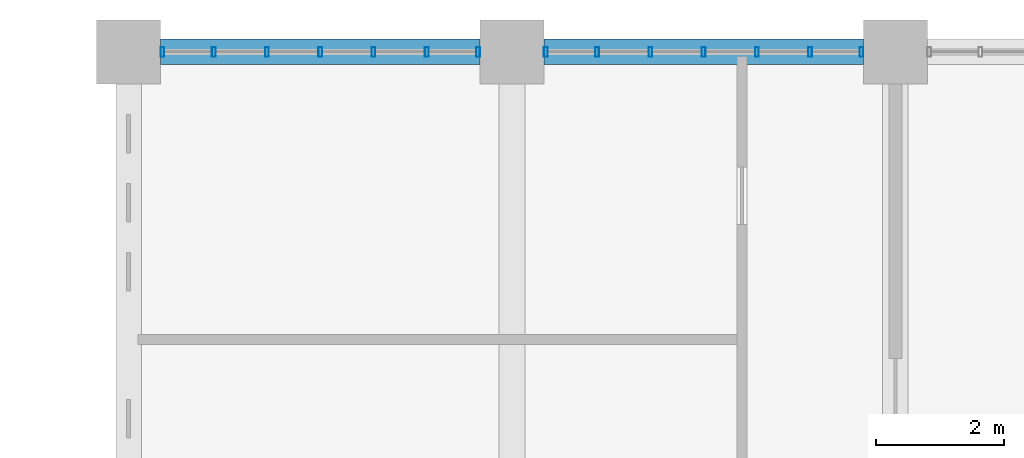
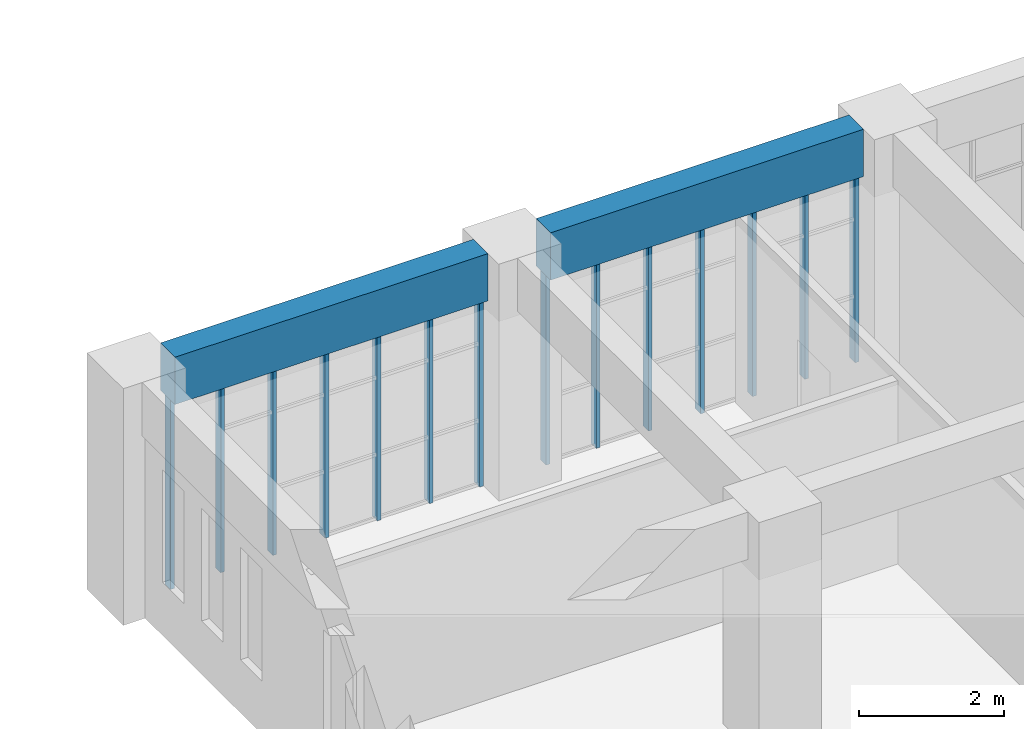
# One storey, part 41 of 92: 14 members, 2 beams, 2 elements without a shape of their own.
"""IFC4 building model written with IfcOpenShell, lengths in metres."""

import ifcopenshell
import ifcopenshell.guid

model = None  # the IFC model being written
_history = None  # IfcOwnerHistory: only IFC2X3 demands one
_inside = {}  # id of a spatial element -> (the spatial element, [elements in it])
_under = {}  # id of a project, library or spatial element -> (it, [spatial elements below it])
_declared = {}  # id of a project -> (the project, [libraries it declares])
_typed = {}  # id of a type object -> (the type object, [elements of that type])
_made_of = {}  # id of a material, layer set ... -> (it, [elements and type objects made of it])


def new_model(schema):
    """Start an empty IFC model of exactly this schema.

    Asked for "IFC4X3", IfcOpenShell would pick the latest addendum, in which some entities
    have other attributes; the version numbers below select the first issue.
    IFC2X3 requires an IfcOwnerHistory on every rooted entity: one is made here for all.
    """
    global model, _history
    if schema == "IFC4X3":
        model = ifcopenshell.file(schema_version=(4, 3, 0, 0))
    else:
        model = ifcopenshell.file(schema=schema)
    _inside.clear()
    _under.clear()
    _declared.clear()
    _typed.clear()
    _made_of.clear()
    _history = None
    if model.schema == "IFC2X3":
        org = make("IfcOrganization", Name="unknown")
        user = make(
            "IfcPersonAndOrganization",
            ThePerson=make("IfcPerson", FamilyName="unknown"),
            TheOrganization=org,
        )
        app = make(
            "IfcApplication",
            ApplicationDeveloper=org,
            Version="unknown",
            ApplicationFullName="unknown",
            ApplicationIdentifier="unknown",
        )
        _history = make(
            "IfcOwnerHistory",
            OwningUser=user,
            OwningApplication=app,
            ChangeAction="ADDED",
            CreationDate=0,
        )
    return model


def make(cls, **values):
    """One entity of the class cls with the attributes given. An attribute that is None is left unset."""
    return model.create_entity(
        cls, **{name: value for name, value in values.items() if value is not None}
    )


def rooted(cls, **values):
    """An entity with a GlobalId (a new one), such as an element, a storey or a relation."""
    return make(cls, GlobalId=ifcopenshell.guid.new(), OwnerHistory=_history, **values)


def si_unit(unit_type, name, prefix=None):
    """IfcSIUnit, for example si_unit("LENGTHUNIT", "METRE", prefix="MILLI")."""
    return make("IfcSIUnit", UnitType=unit_type, Prefix=prefix, Name=name)


def assignment(units):
    """IfcUnitAssignment: the units of a project."""
    return None if units is None else make("IfcUnitAssignment", Units=units)


def point(xyz):
    """IfcCartesianPoint."""
    return None if xyz is None else make("IfcCartesianPoint", Coordinates=xyz)


def direction(xyz):
    """IfcDirection."""
    return None if xyz is None else make("IfcDirection", DirectionRatios=xyz)


def frame(location, z_axis=None, x_axis=None):
    """IfcAxis2Placement3D, a coordinate frame: its origin and axes. An axis left out is left unset."""
    return make(
        "IfcAxis2Placement3D",
        Location=point(location),
        Axis=direction(z_axis),
        RefDirection=direction(x_axis),
    )


def frame_2d(location, x_axis=None):
    """IfcAxis2Placement2D, a coordinate frame in the plane: its origin and x axis."""
    return make(
        "IfcAxis2Placement2D", Location=point(location), RefDirection=direction(x_axis)
    )


def origin():
    """The frame at (0, 0, 0) with its axes left unset."""
    return frame((0.0, 0.0, 0.0))


def origin_2d():
    """The frame at (0, 0) in the plane with its x axis left unset."""
    return frame_2d((0.0, 0.0))


def place(relative_to, where):
    """IfcLocalPlacement: puts the frame where relative to a parent placement (None: the world)."""
    return make(
        "IfcLocalPlacement", PlacementRelTo=relative_to, RelativePlacement=where
    )


def context(
    kind, dimensions, precision=None, world=None, true_north=None, identifier=None
):
    """IfcGeometricRepresentationContext, for example the 3D "Model" context."""
    return make(
        "IfcGeometricRepresentationContext",
        ContextIdentifier=identifier,
        ContextType=kind,
        CoordinateSpaceDimension=dimensions,
        Precision=precision,
        WorldCoordinateSystem=world,
        TrueNorth=true_north,
    )


def subcontext(parent, identifier, kind, view, scale=None):
    """IfcGeometricRepresentationSubContext, for example "Body" below "Model"."""
    return make(
        "IfcGeometricRepresentationSubContext",
        ContextIdentifier=identifier,
        ContextType=kind,
        ParentContext=parent,
        TargetScale=scale,
        TargetView=view,
    )


def project(units=None, contexts=None):
    """IfcProject with its units and contexts."""
    return rooted(
        "IfcProject",
        Name="project",
        RepresentationContexts=contexts,
        UnitsInContext=assignment(units),
    )


def spatial(cls, under=None, at=None, **own):
    """A site, building, storey or space (cls), placed at a placement, below another one or the project."""
    s = rooted(cls, ObjectPlacement=at, **own)
    if under is not None:
        _under.setdefault(under.id(), (under, []))[1].append(s)
    return s


def profile(cls, at=None, kind="AREA", **sizes):
    """A parametric profile (cls). Its sizes go by their IFC names, for example OverallWidth=200.0."""
    return make(cls, ProfileType=kind, Position=at, **sizes)


def rectangle(**sizes):
    """IfcRectangleProfileDef."""
    return profile("IfcRectangleProfileDef", **sizes)


def hollow_rectangle(**sizes):
    """IfcRectangleHollowProfileDef."""
    return profile("IfcRectangleHollowProfileDef", **sizes)


def extrude(swept, where, along, depth):
    """IfcExtrudedAreaSolid: the profile swept, set in the frame where, extruded along a direction by depth."""
    return make(
        "IfcExtrudedAreaSolid",
        SweptArea=swept,
        Position=where,
        ExtrudedDirection=direction(along),
        Depth=depth,
    )


def shape(context_of_items, identifier, shape_type, items):
    """IfcShapeRepresentation: the items that make up one representation, for example the "Body"."""
    return make(
        "IfcShapeRepresentation",
        ContextOfItems=context_of_items,
        RepresentationIdentifier=identifier,
        RepresentationType=shape_type,
        Items=items,
    )


def material(Name=None, Category=None):
    """IfcMaterial."""
    return make("IfcMaterial", Name=Name, Category=Category)


def material_profile(
    of_material, cross_section, Name=None, Category=None, Priority=None
):
    """IfcMaterialProfile: a cross section and its material."""
    return make(
        "IfcMaterialProfile",
        Name=Name,
        Material=of_material,
        Profile=cross_section,
        Priority=Priority,
        Category=Category,
    )


def profile_set(profiles, Name=None, composite=None):
    """IfcMaterialProfileSet."""
    return make(
        "IfcMaterialProfileSet",
        Name=Name,
        MaterialProfiles=profiles,
        CompositeProfile=composite,
    )


def made_of(thing, what):
    """Note that an element or type object is made of a material, layer set ...; save() writes the relation."""
    if what is not None:
        _made_of.setdefault(what.id(), (what, []))[1].append(thing)
    return thing


def type_object(cls, material=None, **own):
    """A type object (cls), such as IfcWallType, which elements share."""
    return made_of(rooted(cls, **own), material)


def element(
    cls,
    number,
    at=None,
    inside=None,
    cuts=None,
    type_object=None,
    material=None,
    context=None,
    identifier="Body",
    shape_type=None,
    held_by="IfcProductDefinitionShape",
    body=None,
    shapes=None,
    **own,
):
    """One element of the class cls, such as IfcWall. Its Tag is "e" and its number.

    at: its placement. inside: the storey or other place that contains it. cuts: it is an
    opening in that element (IfcRelVoidsElement). A single representation is given by context,
    identifier, shape_type and body (its items); several are given by shapes. held_by: the class
    of the entity that holds the representations. save() writes the other relations.
    """
    e = rooted(cls, Tag="e%d" % number, ObjectPlacement=at, **own)
    if body is not None:
        shapes = [shape(context, identifier, shape_type, body)]
    if shapes is not None:
        e.Representation = make(held_by, Representations=shapes)
    if inside is not None:
        _inside.setdefault(inside.id(), (inside, []))[1].append(e)
    if cuts is not None:
        rooted(
            "IfcRelVoidsElement", RelatingBuildingElement=cuts, RelatedOpeningElement=e
        )
    if type_object is not None:
        _typed.setdefault(type_object.id(), (type_object, []))[1].append(e)
    return made_of(e, material)


def aggregate(whole, parts):
    """IfcRelAggregates: a whole, such as a stair, and the parts it consists of."""
    return rooted("IfcRelAggregates", RelatingObject=whole, RelatedObjects=parts)


def save(model, path):
    """Write the relations noted so far, then the file.

    IfcRelAggregates (storeys below a building ...), IfcRelContainedInSpatialStructure (elements
    in a storey), IfcRelDefinesByType, IfcRelAssociatesMaterial and IfcRelDeclares: one each for
    every whole, place, type object, material and project.
    """
    for whole, parts in _under.values():
        aggregate(whole, parts)
    for where, things in _inside.values():
        rooted(
            "IfcRelContainedInSpatialStructure",
            RelatedElements=things,
            RelatingStructure=where,
        )
    for kind, things in _typed.values():
        rooted("IfcRelDefinesByType", RelatedObjects=things, RelatingType=kind)
    for what, things in _made_of.values():
        rooted("IfcRelAssociatesMaterial", RelatedObjects=things, RelatingMaterial=what)
    for by, libraries in _declared.values():
        rooted("IfcRelDeclares", RelatingContext=by, RelatedDefinitions=libraries)
    model.write(path)


model = new_model("IFC4")

# Units and contexts
model_context = context("Model", 3, precision=1e-05, world=origin(), true_north=direction((0.0, 1.0)))
body_context = subcontext(model_context, "Body", "Model", "MODEL_VIEW")
ifc_project = project(units=[si_unit("LENGTHUNIT", "METRE"), si_unit("AREAUNIT", "SQUARE_METRE"), si_unit("VOLUMEUNIT", "CUBIC_METRE"), si_unit("PLANEANGLEUNIT", "RADIAN"), si_unit("MASSUNIT", "GRAM", prefix="KILO")], contexts=[model_context])

# Site, building, storey
site_placement = place(None, origin())
site = spatial("IfcSite", under=ifc_project, at=site_placement, CompositionType="ELEMENT")
building_placement = place(site_placement, origin())
building = spatial("IfcBuilding", under=site, at=building_placement, Name="Laocheng Heights Fire and Rescue Headquarters", CompositionType="ELEMENT")
storey_placement = place(building_placement, frame((0.0, 0.0, 12.60009765625)))
storey = spatial("IfcBuildingStorey", under=building, at=storey_placement, Name="L03", CompositionType="ELEMENT", Elevation=12.60009765625)

# Curtain wall, members
ifc_material_1 = material(Name="Dark anodised aluminium unitised curtain wall, low-e double glazing", Category="aluminium")
curtain_wall_type = type_object("IfcCurtainWallType", Name="CW 5000 x 3200 HQ CONTROL ROOM FACE", PredefinedType="NOTDEFINED", material=ifc_material_1)
curtain_wall_1_placement = place(storey_placement, origin())
curtain_wall_1 = element("IfcCurtainWall", 1, at=curtain_wall_1_placement, inside=storey, type_object=curtain_wall_type, Name="X21-X HQ NORTH L03", PredefinedType="NOTDEFINED")
ifc_material_2 = material(Name="Dark anodised aluminium 6063-T5 extrusion", Category="aluminium")
ifc_material_profile_1 = material_profile(ifc_material_2, hollow_rectangle(XDim=0.14990234375, YDim=0.06005859375, WallThickness=0.0029296875, at=origin_2d()), Name="AL MULLION 150x60x3 HQ CONTROL ROOM FACE")
ifc_profile_set_1 = profile_set([ifc_material_profile_1], Name="Dark anodised aluminium 6063-T5 extrusion")
member_type = type_object("IfcMemberType", Name="AL MULLION 150x60x3 HQ CONTROL ROOM FACE", PredefinedType="MULLION", material=ifc_profile_set_1)
member_1_placement = place(storey_placement, frame((36.530029296875, 72.0, 0.0), z_axis=(0.0, 0.0, 1.0), x_axis=(0.0, 1.0, 0.0)))
member_1 = element("IfcMember", 2, at=member_1_placement, type_object=member_type, Name="X21-X mullion 1", PredefinedType="MULLION", context=body_context, shape_type="SweptSolid", body=[
    extrude(hollow_rectangle(XDim=0.14990234375, YDim=0.06005859375, WallThickness=0.0029296875, at=origin_2d()), origin(), (0.0, 0.0, 1.0), 3.199951171875),
])
member_2_placement = place(storey_placement, frame((37.333251953125, 72.0, 0.0), z_axis=(0.0, 0.0, 1.0), x_axis=(0.0, 1.0, 0.0)))
member_2 = element("IfcMember", 3, at=member_2_placement, type_object=member_type, Name="X21-X mullion 2", PredefinedType="MULLION", context=body_context, shape_type="SweptSolid", body=[
    extrude(hollow_rectangle(XDim=0.14990234375, YDim=0.06005859375, WallThickness=0.0029296875, at=origin_2d()), origin(), (0.0, 0.0, 1.0), 3.199951171875),
])
member_3_placement = place(storey_placement, frame((38.166748046875, 72.0, 0.0), z_axis=(0.0, 0.0, 1.0), x_axis=(0.0, 1.0, 0.0)))
member_3 = element("IfcMember", 4, at=member_3_placement, type_object=member_type, Name="X21-X mullion 3", PredefinedType="MULLION", context=body_context, shape_type="SweptSolid", body=[
    extrude(hollow_rectangle(XDim=0.14990234375, YDim=0.06005859375, WallThickness=0.0029296875, at=origin_2d()), origin(), (0.0, 0.0, 1.0), 3.199951171875),
])
member_4_placement = place(storey_placement, frame((39.0, 72.0, 0.0), z_axis=(0.0, 0.0, 1.0), x_axis=(0.0, 1.0, 0.0)))
member_4 = element("IfcMember", 5, at=member_4_placement, type_object=member_type, Name="X21-X mullion 4", PredefinedType="MULLION", context=body_context, shape_type="SweptSolid", body=[
    extrude(hollow_rectangle(XDim=0.14990234375, YDim=0.06005859375, WallThickness=0.0029296875, at=origin_2d()), origin(), (0.0, 0.0, 1.0), 3.199951171875),
])
member_5_placement = place(storey_placement, frame((39.833251953125, 72.0, 0.0), z_axis=(0.0, 0.0, 1.0), x_axis=(0.0, 1.0, 0.0)))
member_5 = element("IfcMember", 6, at=member_5_placement, type_object=member_type, Name="X21-X mullion 5", PredefinedType="MULLION", context=body_context, shape_type="SweptSolid", body=[
    extrude(hollow_rectangle(XDim=0.14990234375, YDim=0.06005859375, WallThickness=0.0029296875, at=origin_2d()), origin(), (0.0, 0.0, 1.0), 3.199951171875),
])
member_6_placement = place(storey_placement, frame((40.666748046875, 72.0, 0.0), z_axis=(0.0, 0.0, 1.0), x_axis=(0.0, 1.0, 0.0)))
member_6 = element("IfcMember", 7, at=member_6_placement, type_object=member_type, Name="X21-X mullion 6", PredefinedType="MULLION", context=body_context, shape_type="SweptSolid", body=[
    extrude(hollow_rectangle(XDim=0.14990234375, YDim=0.06005859375, WallThickness=0.0029296875, at=origin_2d()), origin(), (0.0, 0.0, 1.0), 3.199951171875),
])
member_7_placement = place(storey_placement, frame((41.469970703125, 72.0, 0.0), z_axis=(0.0, 0.0, 1.0), x_axis=(0.0, 1.0, 0.0)))
member_7 = element("IfcMember", 8, at=member_7_placement, type_object=member_type, Name="X21-X mullion 7", PredefinedType="MULLION", context=body_context, shape_type="SweptSolid", body=[
    extrude(hollow_rectangle(XDim=0.14990234375, YDim=0.06005859375, WallThickness=0.0029296875, at=origin_2d()), origin(), (0.0, 0.0, 1.0), 3.199951171875),
])
aggregate(curtain_wall_1, [member_1, member_2, member_3, member_4, member_5, member_6, member_7])

curtain_wall_2_placement = place(storey_placement, origin())
curtain_wall_2 = element("IfcCurtainWall", 9, at=curtain_wall_2_placement, inside=storey, type_object=curtain_wall_type, Name="X21-X HQ NORTH L03", PredefinedType="NOTDEFINED")
member_8_placement = place(storey_placement, frame((42.530029296875, 72.0, 0.0), z_axis=(0.0, 0.0, 1.0), x_axis=(0.0, 1.0, 0.0)))
member_8 = element("IfcMember", 10, at=member_8_placement, type_object=member_type, Name="X21-X mullion 1", PredefinedType="MULLION", context=body_context, shape_type="SweptSolid", body=[
    extrude(hollow_rectangle(XDim=0.14990234375, YDim=0.06005859375, WallThickness=0.0029296875, at=origin_2d()), origin(), (0.0, 0.0, 1.0), 3.199951171875),
])
member_9_placement = place(storey_placement, frame((43.333251953125, 72.0, 0.0), z_axis=(0.0, 0.0, 1.0), x_axis=(0.0, 1.0, 0.0)))
member_9 = element("IfcMember", 11, at=member_9_placement, type_object=member_type, Name="X21-X mullion 2", PredefinedType="MULLION", context=body_context, shape_type="SweptSolid", body=[
    extrude(hollow_rectangle(XDim=0.14990234375, YDim=0.06005859375, WallThickness=0.0029296875, at=origin_2d()), origin(), (0.0, 0.0, 1.0), 3.199951171875),
])
member_10_placement = place(storey_placement, frame((44.166748046875, 72.0, 0.0), z_axis=(0.0, 0.0, 1.0), x_axis=(0.0, 1.0, 0.0)))
member_10 = element("IfcMember", 12, at=member_10_placement, type_object=member_type, Name="X21-X mullion 3", PredefinedType="MULLION", context=body_context, shape_type="SweptSolid", body=[
    extrude(hollow_rectangle(XDim=0.14990234375, YDim=0.06005859375, WallThickness=0.0029296875, at=origin_2d()), origin(), (0.0, 0.0, 1.0), 3.199951171875),
])
member_11_placement = place(storey_placement, frame((45.0, 72.0, 0.0), z_axis=(0.0, 0.0, 1.0), x_axis=(0.0, 1.0, 0.0)))
member_11 = element("IfcMember", 13, at=member_11_placement, type_object=member_type, Name="X21-X mullion 4", PredefinedType="MULLION", context=body_context, shape_type="SweptSolid", body=[
    extrude(hollow_rectangle(XDim=0.14990234375, YDim=0.06005859375, WallThickness=0.0029296875, at=origin_2d()), origin(), (0.0, 0.0, 1.0), 3.199951171875),
])
member_12_placement = place(storey_placement, frame((45.833251953125, 72.0, 0.0), z_axis=(0.0, 0.0, 1.0), x_axis=(0.0, 1.0, 0.0)))
member_12 = element("IfcMember", 14, at=member_12_placement, type_object=member_type, Name="X21-X mullion 5", PredefinedType="MULLION", context=body_context, shape_type="SweptSolid", body=[
    extrude(hollow_rectangle(XDim=0.14990234375, YDim=0.06005859375, WallThickness=0.0029296875, at=origin_2d()), origin(), (0.0, 0.0, 1.0), 3.199951171875),
])
member_13_placement = place(storey_placement, frame((46.666748046875, 72.0, 0.0), z_axis=(0.0, 0.0, 1.0), x_axis=(0.0, 1.0, 0.0)))
member_13 = element("IfcMember", 15, at=member_13_placement, type_object=member_type, Name="X21-X mullion 6", PredefinedType="MULLION", context=body_context, shape_type="SweptSolid", body=[
    extrude(hollow_rectangle(XDim=0.14990234375, YDim=0.06005859375, WallThickness=0.0029296875, at=origin_2d()), origin(), (0.0, 0.0, 1.0), 3.199951171875),
])
member_14_placement = place(storey_placement, frame((47.469970703125, 72.0, 0.0), z_axis=(0.0, 0.0, 1.0), x_axis=(0.0, 1.0, 0.0)))
member_14 = element("IfcMember", 16, at=member_14_placement, type_object=member_type, Name="X21-X mullion 7", PredefinedType="MULLION", context=body_context, shape_type="SweptSolid", body=[
    extrude(hollow_rectangle(XDim=0.14990234375, YDim=0.06005859375, WallThickness=0.0029296875, at=origin_2d()), origin(), (0.0, 0.0, 1.0), 3.199951171875),
])
aggregate(curtain_wall_2, [member_8, member_9, member_10, member_11, member_12, member_13, member_14])

# Beams
ifc_material_3 = material(Name="Concrete C40", Category="concrete")
ifc_material_profile_2 = material_profile(ifc_material_3, rectangle(XDim=0.39990234375, YDim=0.800048828125, at=origin_2d()), Name="RC BEAM 400x800 HQ")
ifc_profile_set_2 = profile_set([ifc_material_profile_2], Name="Concrete C40")
beam_type = type_object("IfcBeamType", Name="RC BEAM 400x800 HQ", PredefinedType="BEAM", material=ifc_profile_set_2)
for number, where, z_axis, x_axis, name in (
    (17, (36.5, 72.0, 3.599853515625), (1.0, 0.0, 0.0), (0.0, 1.0, 0.0), "HQ beam L03"),
    (18, (42.5, 72.0, 3.599853515625), (1.0, 0.0, 0.0), (0.0, 1.0, 0.0), "HQ beam L03"),
):
    element("IfcBeam", number, at=place(storey_placement, frame(where, z_axis=z_axis, x_axis=x_axis)), inside=storey, type_object=beam_type, Name=name, PredefinedType="BEAM", context=body_context, shape_type="SweptSolid", body=[
        extrude(rectangle(XDim=0.39990234375, YDim=0.800048828125, at=origin_2d()), origin(), (0.0, 0.0, 1.0), 5.0),
    ])

save(model, "model.ifc")
